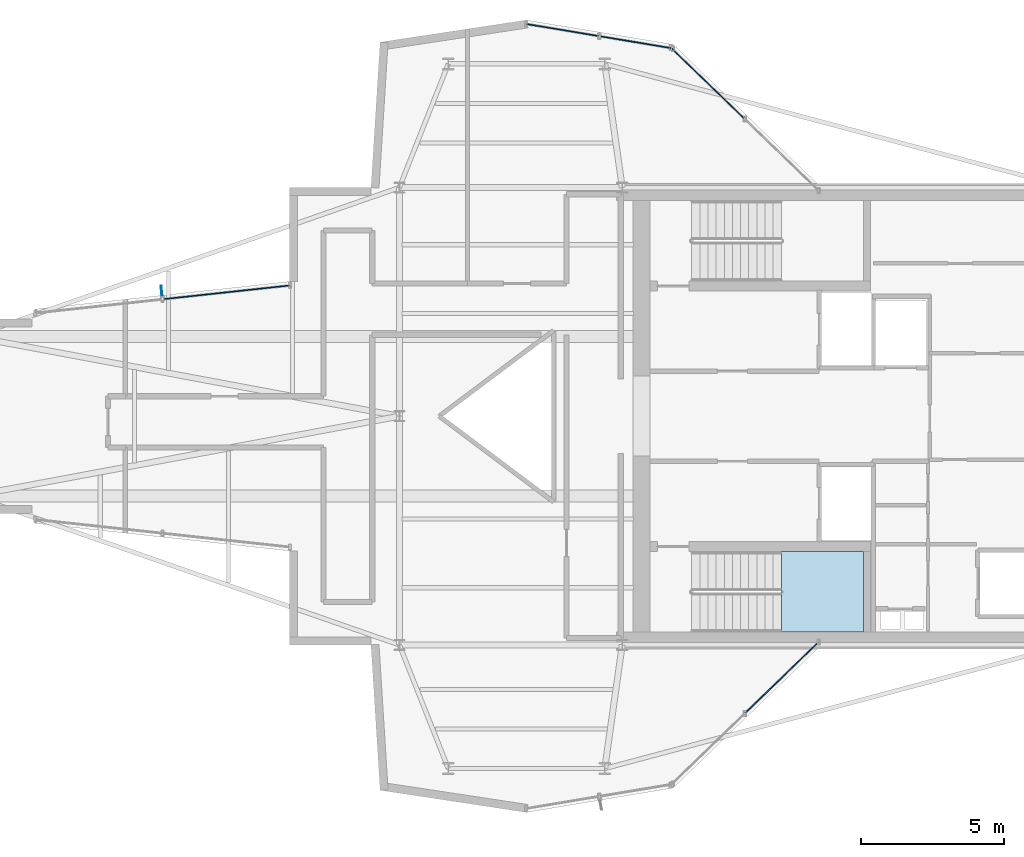
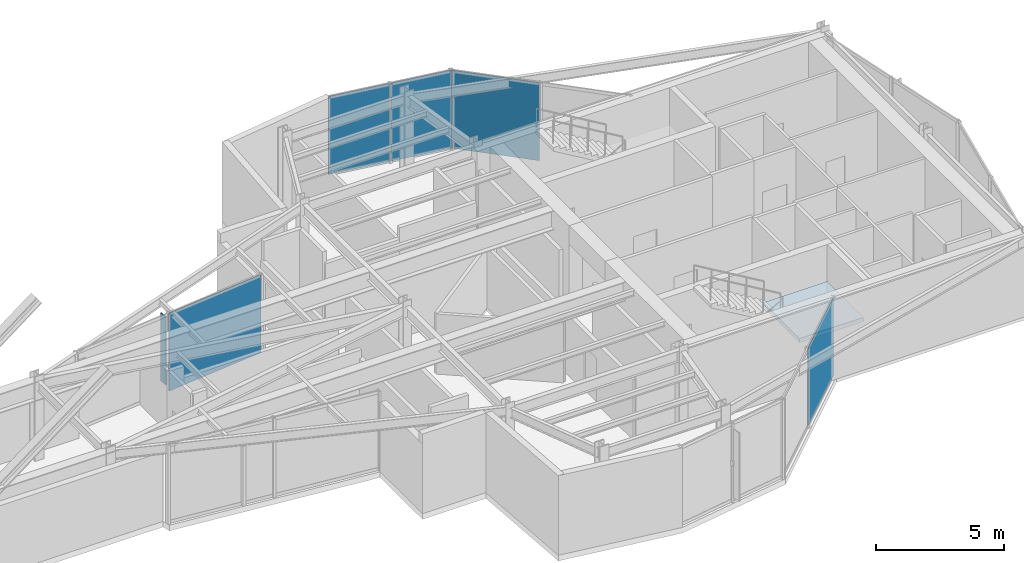
# One storey, part 12 of 16: 6 plates, 1 slab, 5 elements without a shape of their own.
"""IFC4 building model written with IfcOpenShell, lengths in metres."""

from ifc_helpers import new_model, si_unit, direction, frame, origin, origin_2d, place, context, subcontext, project, spatial, polyline, rectangle, outline, extrude, material, layer, layer_set, type_object, element, aggregate, save


model = new_model("IFC4")

# Units and contexts
model_context = context("Model", 3, precision=1e-05, world=origin(), true_north=direction((0.0, 1.0)))
body_context = subcontext(model_context, "Body", "Model", "MODEL_VIEW")
ifc_project = project(units=[si_unit("LENGTHUNIT", "METRE"), si_unit("AREAUNIT", "SQUARE_METRE"), si_unit("VOLUMEUNIT", "CUBIC_METRE"), si_unit("PLANEANGLEUNIT", "RADIAN"), si_unit("MASSUNIT", "GRAM", prefix="KILO")], contexts=[model_context])

# Site, building, storey
site_placement = place(None, origin())
site = spatial("IfcSite", under=ifc_project, at=site_placement, CompositionType="ELEMENT")
building_placement = place(site_placement, origin())
building = spatial("IfcBuilding", under=site, at=building_placement, Name="Veymaron Broadcast Tower", CompositionType="ELEMENT")
storey_placement = place(building_placement, frame((0.0, 0.0, 315.449951171875)))
storey = spatial("IfcBuildingStorey", under=building, at=storey_placement, Name="L74", CompositionType="ELEMENT", Elevation=315.449951171875)

# Curtain wall, plate
ifc_material_1 = material(Name="Anodised aluminium AA 6063-T6 and laminated low-E dark glass", Category="aluminium")
ifc_layer_1 = layer(ifc_material_1, 0.179931640625)
ifc_layer_set_1 = layer_set([ifc_layer_1], Name="Anodised aluminium AA 6063-T6 and laminated low-E dark glass")
curtain_wall_type = type_object("IfcCurtainWallType", Name="CW-SYS-07", PredefinedType="NOTDEFINED", material=ifc_layer_set_1)
curtain_wall_1_placement = place(storey_placement, origin())
curtain_wall_1 = element("IfcCurtainWall", 1, at=curtain_wall_1_placement, inside=storey, type_object=curtain_wall_type, Name="L74 dark-glass curtain wall CW-L74-E8-1", PredefinedType="NOTDEFINED")
ifc_material_2 = material(Name="Triple-laminated solar-control dark glass IGU 36 mm", Category="glass")
ifc_layer_2 = layer(ifc_material_2, 0.035888671875)
ifc_layer_set_2 = layer_set([ifc_layer_2], Name="Triple-laminated solar-control dark glass IGU 36 mm")
plate_type_1 = type_object("IfcPlateType", Name="CW-PNL-01", PredefinedType="CURTAIN_PANEL", material=ifc_layer_set_2)
plate_1_placement = place(storey_placement, frame((44.578369140625, 14.847900390625, 0.0400390625), z_axis=(0.0, 0.0, 1.0), x_axis=(0.719097275004, 0.694909425092, 0.0)))
plate_1 = element("IfcPlate", 2, at=plate_1_placement, type_object=plate_type_1, Name="CW-L74-E8-1 unitised curtain panel 1", PredefinedType="CURTAIN_PANEL", context=body_context, shape_type="SweptSolid", body=[
    extrude(rectangle(XDim=3.545654296875, YDim=0.035888671875, at=origin_2d()), origin(), (0.0, 0.0, 1.0), 3.699951171875),
])
aggregate(curtain_wall_1, [plate_1])

curtain_wall_2_placement = place(storey_placement, origin())
curtain_wall_2 = element("IfcCurtainWall", 3, at=curtain_wall_2_placement, inside=storey, type_object=curtain_wall_type, Name="L74 dark-glass curtain wall CW-L74-E13-1", PredefinedType="NOTDEFINED")
plate_2_placement = place(storey_placement, frame((41.985595703125, 35.65771484375, 0.0400390625), z_axis=(0.0, 0.0, 1.0), x_axis=(-0.719097275004, 0.694909425092, 0.0)))
plate_2 = element("IfcPlate", 4, at=plate_2_placement, type_object=plate_type_1, Name="CW-L74-E13-1 unitised curtain panel 1", PredefinedType="CURTAIN_PANEL", context=body_context, shape_type="SweptSolid", body=[
    extrude(rectangle(XDim=3.545654296875, YDim=0.035888671875, at=origin_2d()), origin(), (0.0, 0.0, 1.0), 3.699951171875),
])
aggregate(curtain_wall_2, [plate_2])

# Curtain wall, plates
curtain_wall_3_placement = place(storey_placement, origin())
curtain_wall_3 = element("IfcCurtainWall", 5, at=curtain_wall_3_placement, inside=storey, type_object=curtain_wall_type, Name="L74 dark-glass curtain wall CW-L74-E14-1", PredefinedType="NOTDEFINED")
plate_3_placement = place(storey_placement, frame((39.481201171875, 37.08642578125, 0.0400390625), z_axis=(0.0, 0.0, 1.0), x_axis=(-0.986434987778, 0.164152413592, 0.0)))
plate_3 = element("IfcPlate", 6, at=plate_3_placement, type_object=plate_type_1, Name="CW-L74-E14-1 unitised curtain panel 0", PredefinedType="CURTAIN_PANEL", context=body_context, shape_type="SweptSolid", body=[
    extrude(rectangle(XDim=2.5400390625, YDim=0.035888671875, at=origin_2d()), origin(), (0.0, 0.0, 1.0), 3.699951171875),
])
plate_4_placement = place(storey_placement, frame((36.916259765625, 37.51318359375, 0.0400390625), z_axis=(0.0, 0.0, 1.0), x_axis=(-0.986434987778, 0.164152413592, 0.0)))
plate_4 = element("IfcPlate", 7, at=plate_4_placement, type_object=plate_type_1, Name="CW-L74-E14-1 unitised curtain panel 1", PredefinedType="CURTAIN_PANEL", context=body_context, shape_type="SweptSolid", body=[
    extrude(rectangle(XDim=2.5400390625, YDim=0.035888671875, at=origin_2d()), origin(), (0.0, 0.0, 1.0), 3.699951171875),
])
aggregate(curtain_wall_3, [plate_3, plate_4])

# Curtain wall, plate
curtain_wall_4_placement = place(storey_placement, origin())
curtain_wall_4 = element("IfcCurtainWall", 8, at=curtain_wall_4_placement, inside=storey, type_object=curtain_wall_type, Name="L74 dark-glass curtain wall CW-L74-E19-1", PredefinedType="NOTDEFINED")
plate_5_placement = place(storey_placement, frame((25.143798828125, 28.334716796875, 0.0400390625), z_axis=(0.0, 0.0, 1.0), x_axis=(-0.9941735615, -0.107791138848, 0.0)))
plate_5 = element("IfcPlate", 9, at=plate_5_placement, type_object=plate_type_1, Name="CW-L74-E19-1 unitised curtain panel 0", PredefinedType="CURTAIN_PANEL", context=body_context, shape_type="SweptSolid", body=[
    extrude(rectangle(XDim=4.42529296875, YDim=0.035888671875, at=origin_2d()), origin(), (0.0, 0.0, 1.0), 3.699951171875),
])
aggregate(curtain_wall_4, [plate_5])

# Plate
ifc_material_3 = material(Name="Dark-anodised aluminium AA 6061-T6", Category="aluminium")
ifc_layer_3 = layer(ifc_material_3, 0.030029296875)
ifc_layer_set_3 = layer_set([ifc_layer_3], Name="Dark-anodised aluminium AA 6061-T6")
plate_type_2 = type_object("IfcPlateType", Name="FIN-CHEV-02", PredefinedType="USERDEFINED", material=ifc_layer_set_3)
plate_6_placement = place(storey_placement, frame((22.88134765625, 28.39599609375, 0.2646484375), z_axis=(0.0, 0.0, 1.0), x_axis=(-0.107791138848, 0.9941735615, 0.0)))
element("IfcPlate", 10, at=plate_6_placement, inside=storey, type_object=plate_type_2, Name="CW-L74-E19-1 chevron fin 1", ObjectType="FIN", PredefinedType="USERDEFINED", context=body_context, shape_type="SweptSolid", body=[
    extrude(rectangle(XDim=0.35009765625, YDim=0.034912109375, at=origin_2d()), origin(), (0.0, 0.0, 1.0), 3.250732421875),
])

# Stair, slab
ifc_material_4 = material(Name="Concrete C50/60", Category="concrete")
stair_type = type_object("IfcStairType", Name="STAIR-CORE-2", PredefinedType="HALF_TURN_STAIR", material=ifc_material_4)
stair_placement = place(storey_placement, origin())
stair = element("IfcStair", 11, at=stair_placement, inside=storey, type_object=stair_type, Name="L74 South protected dog-leg exit stair ST2", PredefinedType="HALF_TURN_STAIR")
ifc_layer_4 = layer(ifc_material_4, 0.199951171875)
ifc_layer_set_4 = layer_set([ifc_layer_4], Name="Concrete C50/60")
slab_type = type_object("IfcSlabType", Name="SLAB-STAIR-LDG", PredefinedType="LANDING", material=ifc_layer_set_4)
slab_placement = place(storey_placement, frame((0.0, 0.0, 1.824951171875)))
slab = element("IfcSlab", 12, at=slab_placement, type_object=slab_type, Name="ST2 landing 1", PredefinedType="LANDING", context=body_context, shape_type="SweptSolid", body=[
    extrude(outline(polyline([(44.56494140625, 16.449951171875), (47.43994140625, 16.449951171875), (47.43994140625, 19.27001953125), (44.56494140625, 19.27001953125), (44.56494140625, 16.449951171875)])), origin(), (0.0, 0.0, 1.0), 0.2001953125),
])
aggregate(stair, [slab])

save(model, "model.ifc")
